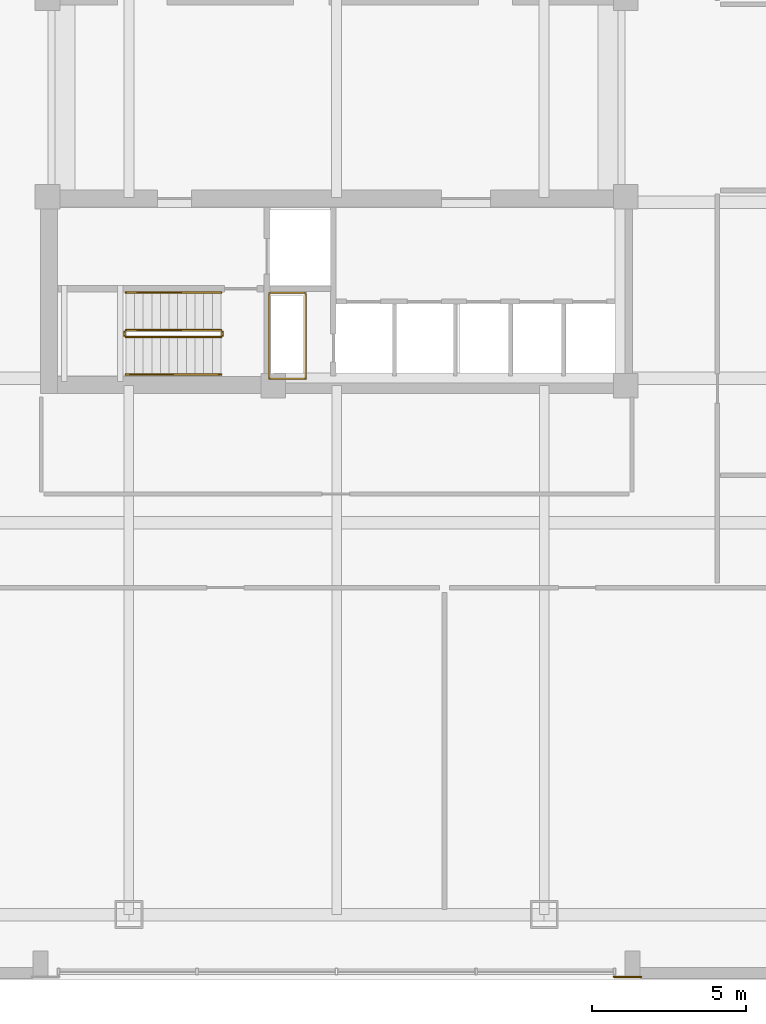
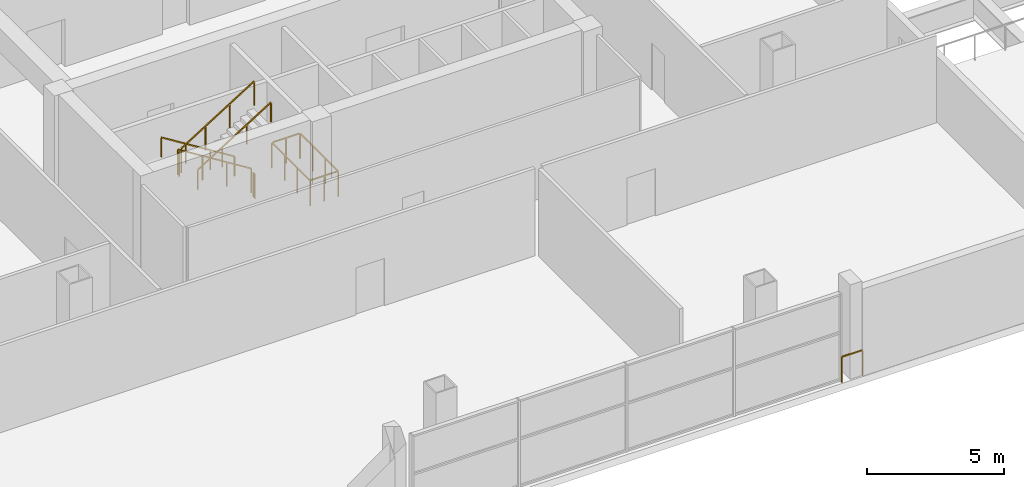
# One storey, part 18 of 21: 8 railings.
"""IFC4 building model written with IfcOpenShell, lengths in metres."""

import ifcopenshell
import ifcopenshell.guid

model = None  # the IFC model being written
_history = None  # IfcOwnerHistory: only IFC2X3 demands one
_inside = {}  # id of a spatial element -> (the spatial element, [elements in it])
_under = {}  # id of a project, library or spatial element -> (it, [spatial elements below it])
_declared = {}  # id of a project -> (the project, [libraries it declares])
_typed = {}  # id of a type object -> (the type object, [elements of that type])
_made_of = {}  # id of a material, layer set ... -> (it, [elements and type objects made of it])


def new_model(schema):
    """Start an empty IFC model of exactly this schema.

    Asked for "IFC4X3", IfcOpenShell would pick the latest addendum, in which some entities
    have other attributes; the version numbers below select the first issue.
    IFC2X3 requires an IfcOwnerHistory on every rooted entity: one is made here for all.
    """
    global model, _history
    if schema == "IFC4X3":
        model = ifcopenshell.file(schema_version=(4, 3, 0, 0))
    else:
        model = ifcopenshell.file(schema=schema)
    _inside.clear()
    _under.clear()
    _declared.clear()
    _typed.clear()
    _made_of.clear()
    _history = None
    if model.schema == "IFC2X3":
        org = make("IfcOrganization", Name="unknown")
        user = make(
            "IfcPersonAndOrganization",
            ThePerson=make("IfcPerson", FamilyName="unknown"),
            TheOrganization=org,
        )
        app = make(
            "IfcApplication",
            ApplicationDeveloper=org,
            Version="unknown",
            ApplicationFullName="unknown",
            ApplicationIdentifier="unknown",
        )
        _history = make(
            "IfcOwnerHistory",
            OwningUser=user,
            OwningApplication=app,
            ChangeAction="ADDED",
            CreationDate=0,
        )
    return model


def make(cls, **values):
    """One entity of the class cls with the attributes given. An attribute that is None is left unset."""
    return model.create_entity(
        cls, **{name: value for name, value in values.items() if value is not None}
    )


def rooted(cls, **values):
    """An entity with a GlobalId (a new one), such as an element, a storey or a relation."""
    return make(cls, GlobalId=ifcopenshell.guid.new(), OwnerHistory=_history, **values)


def si_unit(unit_type, name, prefix=None):
    """IfcSIUnit, for example si_unit("LENGTHUNIT", "METRE", prefix="MILLI")."""
    return make("IfcSIUnit", UnitType=unit_type, Prefix=prefix, Name=name)


def assignment(units):
    """IfcUnitAssignment: the units of a project."""
    return None if units is None else make("IfcUnitAssignment", Units=units)


def point(xyz):
    """IfcCartesianPoint."""
    return None if xyz is None else make("IfcCartesianPoint", Coordinates=xyz)


def direction(xyz):
    """IfcDirection."""
    return None if xyz is None else make("IfcDirection", DirectionRatios=xyz)


def frame(location, z_axis=None, x_axis=None):
    """IfcAxis2Placement3D, a coordinate frame: its origin and axes. An axis left out is left unset."""
    return make(
        "IfcAxis2Placement3D",
        Location=point(location),
        Axis=direction(z_axis),
        RefDirection=direction(x_axis),
    )


def frame_2d(location, x_axis=None):
    """IfcAxis2Placement2D, a coordinate frame in the plane: its origin and x axis."""
    return make(
        "IfcAxis2Placement2D", Location=point(location), RefDirection=direction(x_axis)
    )


def origin():
    """The frame at (0, 0, 0) with its axes left unset."""
    return frame((0.0, 0.0, 0.0))


def origin_2d():
    """The frame at (0, 0) in the plane with its x axis left unset."""
    return frame_2d((0.0, 0.0))


def place(relative_to, where):
    """IfcLocalPlacement: puts the frame where relative to a parent placement (None: the world)."""
    return make(
        "IfcLocalPlacement", PlacementRelTo=relative_to, RelativePlacement=where
    )


def context(
    kind, dimensions, precision=None, world=None, true_north=None, identifier=None
):
    """IfcGeometricRepresentationContext, for example the 3D "Model" context."""
    return make(
        "IfcGeometricRepresentationContext",
        ContextIdentifier=identifier,
        ContextType=kind,
        CoordinateSpaceDimension=dimensions,
        Precision=precision,
        WorldCoordinateSystem=world,
        TrueNorth=true_north,
    )


def subcontext(parent, identifier, kind, view, scale=None):
    """IfcGeometricRepresentationSubContext, for example "Body" below "Model"."""
    return make(
        "IfcGeometricRepresentationSubContext",
        ContextIdentifier=identifier,
        ContextType=kind,
        ParentContext=parent,
        TargetScale=scale,
        TargetView=view,
    )


def project(units=None, contexts=None):
    """IfcProject with its units and contexts."""
    return rooted(
        "IfcProject",
        Name="project",
        RepresentationContexts=contexts,
        UnitsInContext=assignment(units),
    )


def spatial(cls, under=None, at=None, **own):
    """A site, building, storey or space (cls), placed at a placement, below another one or the project."""
    s = rooted(cls, ObjectPlacement=at, **own)
    if under is not None:
        _under.setdefault(under.id(), (under, []))[1].append(s)
    return s


def profile(cls, at=None, kind="AREA", **sizes):
    """A parametric profile (cls). Its sizes go by their IFC names, for example OverallWidth=200.0."""
    return make(cls, ProfileType=kind, Position=at, **sizes)


def rectangle(**sizes):
    """IfcRectangleProfileDef."""
    return profile("IfcRectangleProfileDef", **sizes)


def extrude(swept, where, along, depth):
    """IfcExtrudedAreaSolid: the profile swept, set in the frame where, extruded along a direction by depth."""
    return make(
        "IfcExtrudedAreaSolid",
        SweptArea=swept,
        Position=where,
        ExtrudedDirection=direction(along),
        Depth=depth,
    )


def shape(context_of_items, identifier, shape_type, items):
    """IfcShapeRepresentation: the items that make up one representation, for example the "Body"."""
    return make(
        "IfcShapeRepresentation",
        ContextOfItems=context_of_items,
        RepresentationIdentifier=identifier,
        RepresentationType=shape_type,
        Items=items,
    )


def material(Name=None, Category=None):
    """IfcMaterial."""
    return make("IfcMaterial", Name=Name, Category=Category)


def made_of(thing, what):
    """Note that an element or type object is made of a material, layer set ...; save() writes the relation."""
    if what is not None:
        _made_of.setdefault(what.id(), (what, []))[1].append(thing)
    return thing


def type_object(cls, material=None, **own):
    """A type object (cls), such as IfcWallType, which elements share."""
    return made_of(rooted(cls, **own), material)


def element(
    cls,
    number,
    at=None,
    inside=None,
    cuts=None,
    type_object=None,
    material=None,
    context=None,
    identifier="Body",
    shape_type=None,
    held_by="IfcProductDefinitionShape",
    body=None,
    shapes=None,
    **own,
):
    """One element of the class cls, such as IfcWall. Its Tag is "e" and its number.

    at: its placement. inside: the storey or other place that contains it. cuts: it is an
    opening in that element (IfcRelVoidsElement). A single representation is given by context,
    identifier, shape_type and body (its items); several are given by shapes. held_by: the class
    of the entity that holds the representations. save() writes the other relations.
    """
    e = rooted(cls, Tag="e%d" % number, ObjectPlacement=at, **own)
    if body is not None:
        shapes = [shape(context, identifier, shape_type, body)]
    if shapes is not None:
        e.Representation = make(held_by, Representations=shapes)
    if inside is not None:
        _inside.setdefault(inside.id(), (inside, []))[1].append(e)
    if cuts is not None:
        rooted(
            "IfcRelVoidsElement", RelatingBuildingElement=cuts, RelatedOpeningElement=e
        )
    if type_object is not None:
        _typed.setdefault(type_object.id(), (type_object, []))[1].append(e)
    return made_of(e, material)


def aggregate(whole, parts):
    """IfcRelAggregates: a whole, such as a stair, and the parts it consists of."""
    return rooted("IfcRelAggregates", RelatingObject=whole, RelatedObjects=parts)


def save(model, path):
    """Write the relations noted so far, then the file.

    IfcRelAggregates (storeys below a building ...), IfcRelContainedInSpatialStructure (elements
    in a storey), IfcRelDefinesByType, IfcRelAssociatesMaterial and IfcRelDeclares: one each for
    every whole, place, type object, material and project.
    """
    for whole, parts in _under.values():
        aggregate(whole, parts)
    for where, things in _inside.values():
        rooted(
            "IfcRelContainedInSpatialStructure",
            RelatedElements=things,
            RelatingStructure=where,
        )
    for kind, things in _typed.values():
        rooted("IfcRelDefinesByType", RelatedObjects=things, RelatingType=kind)
    for what, things in _made_of.values():
        rooted("IfcRelAssociatesMaterial", RelatedObjects=things, RelatingMaterial=what)
    for by, libraries in _declared.values():
        rooted("IfcRelDeclares", RelatingContext=by, RelatedDefinitions=libraries)
    model.write(path)


model = new_model("IFC4")

# Units and contexts
model_context = context("Model", 3, precision=1e-05, world=origin(), true_north=direction((0.0, 1.0)))
body_context = subcontext(model_context, "Body", "Model", "MODEL_VIEW")
ifc_project = project(units=[si_unit("LENGTHUNIT", "METRE"), si_unit("AREAUNIT", "SQUARE_METRE"), si_unit("VOLUMEUNIT", "CUBIC_METRE"), si_unit("PLANEANGLEUNIT", "RADIAN"), si_unit("MASSUNIT", "GRAM", prefix="KILO")], contexts=[model_context])

# Site, building, storey
site_placement = place(None, origin())
site = spatial("IfcSite", under=ifc_project, at=site_placement, CompositionType="ELEMENT")
building_placement = place(site_placement, origin())
building = spatial("IfcBuilding", under=site, at=building_placement, Name="Qhalaya Broadcast Tower", CompositionType="ELEMENT")
storey_placement = place(building_placement, frame((0.0, 0.0, 9.300048828125)))
storey = spatial("IfcBuildingStorey", under=building, at=storey_placement, Name="L02", CompositionType="ELEMENT", Elevation=9.300048828125)

# Railings
ifc_material = material(Name="Powder-Coated Galvanised Steel", Category="steel")
railing_type_1 = type_object("IfcRailingType", Name="Stair Wall Handrail 900", PredefinedType="HANDRAIL", material=ifc_material)
railing_1_placement = place(storey_placement, frame((-3.75, -5.72998046875, 0.175048828125)))
element("IfcRailing", 1, at=railing_1_placement, inside=storey, type_object=railing_type_1, Name="L02 ST-2 Stair Handrail 1", PredefinedType="HANDRAIL", context=body_context, shape_type="SweptSolid", body=[
    extrude(rectangle(XDim=0.048095703125, YDim=0.048095703125, at=origin_2d()), frame((0.0, 0.0, 0.8759765625), z_axis=(-0.848028513186, 0.0, 0.529950602248), x_axis=(0.0, -1.0, 0.0)), (0.0, 0.0, 1.0), 3.632080078125),
    extrude(rectangle(XDim=0.0419921875, YDim=0.0419921875, at=origin_2d()), origin(), (0.0, 0.0, 1.0), 0.849853515625),
    extrude(rectangle(XDim=0.0419921875, YDim=0.0419921875, at=origin_2d()), frame((-1.026611328125, 0.0, 0.6416015625)), (0.0, 0.0, 1.0), 0.849853515625),
    extrude(rectangle(XDim=0.0419921875, YDim=0.0419921875, at=origin_2d()), frame((-2.053466796875, 0.0, 1.283203125)), (0.0, 0.0, 1.0), 0.849853515625),
    extrude(rectangle(XDim=0.0419921875, YDim=0.0419921875, at=origin_2d()), frame((-3.080078125, 0.0, 1.9248046875)), (0.0, 0.0, 1.0), 0.849853515625),
])
railing_2_placement = place(storey_placement, frame((-6.830078125, -8.389892578125, 2.27490234375)))
element("IfcRailing", 2, at=railing_2_placement, inside=storey, type_object=railing_type_1, Name="L02 ST-2 Stair Handrail 2", PredefinedType="HANDRAIL", context=body_context, shape_type="SweptSolid", body=[
    extrude(rectangle(XDim=0.048095703125, YDim=0.048095703125, at=origin_2d()), frame((0.0, 0.0, 0.8759765625), z_axis=(0.847998304005, 0.0, 0.529998940003), x_axis=(0.0, 1.0, 0.0)), (0.0, 0.0, 1.0), 3.632080078125),
    extrude(rectangle(XDim=0.0419921875, YDim=0.0419921875, at=origin_2d()), origin(), (0.0, 0.0, 1.0), 0.849853515625),
    extrude(rectangle(XDim=0.0419921875, YDim=0.0419921875, at=origin_2d()), frame((1.026611328125, 0.0, 0.6416015625)), (0.0, 0.0, 1.0), 0.849853515625),
    extrude(rectangle(XDim=0.0419921875, YDim=0.0419921875, at=origin_2d()), frame((2.053466796875, 0.0, 1.283447265625)), (0.0, 0.0, 1.0), 0.849853515625),
    extrude(rectangle(XDim=0.0419921875, YDim=0.0419921875, at=origin_2d()), frame((3.080078125, 0.0, 1.925048828125)), (0.0, 0.0, 1.0), 0.849853515625),
])
railing_type_2 = type_object("IfcRailingType", Name="Stair Well & Landing Guardrail 1100", PredefinedType="GUARDRAIL", material=ifc_material)
railing_3_placement = place(storey_placement, frame((-1.0, -8.52001953125, 0.0)))
element("IfcRailing", 3, at=railing_3_placement, inside=storey, type_object=railing_type_2, Name="L02 Service Riser Opening Safety Guard SRSR", PredefinedType="GUARDRAIL", context=body_context, shape_type="SweptSolid", body=[
    extrude(rectangle(XDim=0.048095703125, YDim=0.048095703125, at=origin_2d()), frame((0.0, 0.02880859375, 1.1259765625), z_axis=(0.0, 1.0, 0.0), x_axis=(-1.0, 0.0, 0.0)), (0.0, 0.0, 1.0), 2.722412109375),
    extrude(rectangle(XDim=0.048095703125, YDim=0.048095703125, at=origin_2d()), frame((-0.02880859375, 2.780029296875, 1.1259765625), z_axis=(-1.0, 0.0, 0.0), x_axis=(0.0, -1.0, 0.0)), (0.0, 0.0, 1.0), 1.122314453125),
    extrude(rectangle(XDim=0.048095703125, YDim=0.048095703125, at=origin_2d()), frame((-1.179931640625, 2.751220703125, 1.1259765625), z_axis=(0.0, -1.0, 0.0), x_axis=(1.0, 0.0, 0.0)), (0.0, 0.0, 1.0), 2.722412109375),
    extrude(rectangle(XDim=0.048095703125, YDim=0.048095703125, at=origin_2d()), frame((-1.151123046875, 0.0, 1.1259765625), z_axis=(1.0, 0.0, 0.0), x_axis=(0.0, 1.0, 0.0)), (0.0, 0.0, 1.0), 1.122314453125),
    extrude(rectangle(XDim=0.0419921875, YDim=0.0419921875, at=origin_2d()), origin(), (0.0, 0.0, 1.0), 1.099853515625),
    extrude(rectangle(XDim=0.0419921875, YDim=0.0419921875, at=origin_2d()), frame((0.0, 0.9267578125, 0.0)), (0.0, 0.0, 1.0), 1.099853515625),
    extrude(rectangle(XDim=0.0419921875, YDim=0.0419921875, at=origin_2d()), frame((0.0, 1.853271484375, 0.0)), (0.0, 0.0, 1.0), 1.099853515625),
    extrude(rectangle(XDim=0.0419921875, YDim=0.0419921875, at=origin_2d()), frame((0.0, 2.780029296875, 0.0)), (0.0, 0.0, 1.0), 1.099853515625),
    extrude(rectangle(XDim=0.0419921875, YDim=0.0419921875, at=origin_2d()), frame((-0.58984375, 2.780029296875, 0.0)), (0.0, 0.0, 1.0), 1.099853515625),
    extrude(rectangle(XDim=0.0419921875, YDim=0.0419921875, at=origin_2d()), frame((-1.179931640625, 2.780029296875, 0.0)), (0.0, 0.0, 1.0), 1.099853515625),
    extrude(rectangle(XDim=0.0419921875, YDim=0.0419921875, at=origin_2d()), frame((-1.179931640625, 1.853271484375, 0.0)), (0.0, 0.0, 1.0), 1.099853515625),
    extrude(rectangle(XDim=0.0419921875, YDim=0.0419921875, at=origin_2d()), frame((-1.179931640625, 0.9267578125, 0.0)), (0.0, 0.0, 1.0), 1.099853515625),
    extrude(rectangle(XDim=0.0419921875, YDim=0.0419921875, at=origin_2d()), frame((-1.179931640625, 0.0, 0.0)), (0.0, 0.0, 1.0), 1.099853515625),
    extrude(rectangle(XDim=0.0419921875, YDim=0.0419921875, at=origin_2d()), frame((-0.58984375, 0.0, 0.0)), (0.0, 0.0, 1.0), 1.099853515625),
])
railing_4_placement = place(storey_placement, frame((-3.75, -6.949951171875, 0.175048828125)))
element("IfcRailing", 4, at=railing_4_placement, inside=storey, type_object=railing_type_2, Name="L02 ST-2 Stair Guard 1", PredefinedType="GUARDRAIL", context=body_context, shape_type="SweptSolid", body=[
    extrude(rectangle(XDim=0.048095703125, YDim=0.048095703125, at=origin_2d()), frame((0.0, 0.0, 1.076171875), z_axis=(-0.848028513186, 0.0, 0.529950602248), x_axis=(0.0, -1.0, 0.0)), (0.0, 0.0, 1.0), 3.632080078125),
    extrude(rectangle(XDim=0.0419921875, YDim=0.0419921875, at=origin_2d()), origin(), (0.0, 0.0, 1.0), 1.050048828125),
    extrude(rectangle(XDim=0.0419921875, YDim=0.0419921875, at=origin_2d()), frame((-1.026611328125, 0.0, 0.6416015625)), (0.0, 0.0, 1.0), 1.050048828125),
    extrude(rectangle(XDim=0.0419921875, YDim=0.0419921875, at=origin_2d()), frame((-2.053466796875, 0.0, 1.283203125)), (0.0, 0.0, 1.0), 1.050048828125),
    extrude(rectangle(XDim=0.0419921875, YDim=0.0419921875, at=origin_2d()), frame((-3.080078125, 0.0, 1.9248046875)), (0.0, 0.0, 1.0), 1.050048828125),
])
railing_5_placement = place(storey_placement, frame((-6.8798828125, -7.0, 2.099853515625)))
element("IfcRailing", 5, at=railing_5_placement, inside=storey, type_object=railing_type_2, Name="L02 ST-2 Stair Guard 2", PredefinedType="GUARDRAIL", context=body_context, shape_type="SweptSolid", body=[
    extrude(rectangle(XDim=0.048095703125, YDim=0.048095703125, at=origin_2d()), frame((0.0, 0.0, 1.076171875), z_axis=(0.0, -1.0, 0.0), x_axis=(1.0, 0.0, 0.0)), (0.0, 0.0, 1.0), 0.1201171875),
    extrude(rectangle(XDim=0.0419921875, YDim=0.0419921875, at=origin_2d()), origin(), (0.0, 0.0, 1.0), 1.050048828125),
    extrude(rectangle(XDim=0.0419921875, YDim=0.0419921875, at=origin_2d()), frame((0.0, -0.1201171875, 0.0)), (0.0, 0.0, 1.0), 1.050048828125),
])
railing_6_placement = place(storey_placement, frame((-6.830078125, -7.169921875, 2.27490234375)))
element("IfcRailing", 6, at=railing_6_placement, inside=storey, type_object=railing_type_2, Name="L02 ST-2 Stair Guard 3", PredefinedType="GUARDRAIL", context=body_context, shape_type="SweptSolid", body=[
    extrude(rectangle(XDim=0.048095703125, YDim=0.048095703125, at=origin_2d()), frame((0.0, 0.0, 1.076171875), z_axis=(0.847998304005, 0.0, 0.529998940003), x_axis=(0.0, 1.0, 0.0)), (0.0, 0.0, 1.0), 3.632080078125),
    extrude(rectangle(XDim=0.0419921875, YDim=0.0419921875, at=origin_2d()), origin(), (0.0, 0.0, 1.0), 1.050048828125),
    extrude(rectangle(XDim=0.0419921875, YDim=0.0419921875, at=origin_2d()), frame((1.026611328125, 0.0, 0.6416015625)), (0.0, 0.0, 1.0), 1.050048828125),
    extrude(rectangle(XDim=0.0419921875, YDim=0.0419921875, at=origin_2d()), frame((2.053466796875, 0.0, 1.283447265625)), (0.0, 0.0, 1.0), 1.050048828125),
    extrude(rectangle(XDim=0.0419921875, YDim=0.0419921875, at=origin_2d()), frame((3.080078125, 0.0, 1.925048828125)), (0.0, 0.0, 1.0), 1.050048828125),
])
railing_7_placement = place(storey_placement, frame((-3.699951171875, -7.0, 0.0)))
element("IfcRailing", 7, at=railing_7_placement, inside=storey, type_object=railing_type_2, Name="L02 ST-2 Stair Guard 4", PredefinedType="GUARDRAIL", context=body_context, shape_type="SweptSolid", body=[
    extrude(rectangle(XDim=0.048095703125, YDim=0.048095703125, at=origin_2d()), frame((0.0, 0.0, 1.076171875), z_axis=(0.0, -1.0, 0.0), x_axis=(1.0, 0.0, 0.0)), (0.0, 0.0, 1.0), 0.1201171875),
    extrude(rectangle(XDim=0.0419921875, YDim=0.0419921875, at=origin_2d()), origin(), (0.0, 0.0, 1.0), 1.050048828125),
    extrude(rectangle(XDim=0.0419921875, YDim=0.0419921875, at=origin_2d()), frame((0.0, -0.1201171875, 0.0)), (0.0, 0.0, 1.0), 1.050048828125),
])
railing_type_3 = type_object("IfcRailingType", Name="Terrace, Sky-Pool & Lookout Glass Balustrade 1150", PredefinedType="BALUSTRADE", material=ifc_material)
railing_8_placement = place(storey_placement, frame((9.0, -27.919921875, 0.0)))
element("IfcRailing", 8, at=railing_8_placement, inside=storey, type_object=railing_type_3, Name="L02 Concourse Portal Shoulder Safety Balustrade PSE", PredefinedType="BALUSTRADE", context=body_context, shape_type="SweptSolid", body=[
    extrude(rectangle(XDim=0.048095703125, YDim=0.048095703125, at=origin_2d()), frame((0.0, 0.0, 1.1259765625), z_axis=(1.0, 0.0, 0.0), x_axis=(0.0, 1.0, 0.0)), (0.0, 0.0, 1.0), 0.8798828125),
    extrude(rectangle(XDim=0.0419921875, YDim=0.0419921875, at=origin_2d()), origin(), (0.0, 0.0, 1.0), 1.099853515625),
    extrude(rectangle(XDim=0.0419921875, YDim=0.0419921875, at=origin_2d()), frame((0.8798828125, 0.0, 0.0)), (0.0, 0.0, 1.0), 1.099853515625),
])

save(model, "model.ifc")
